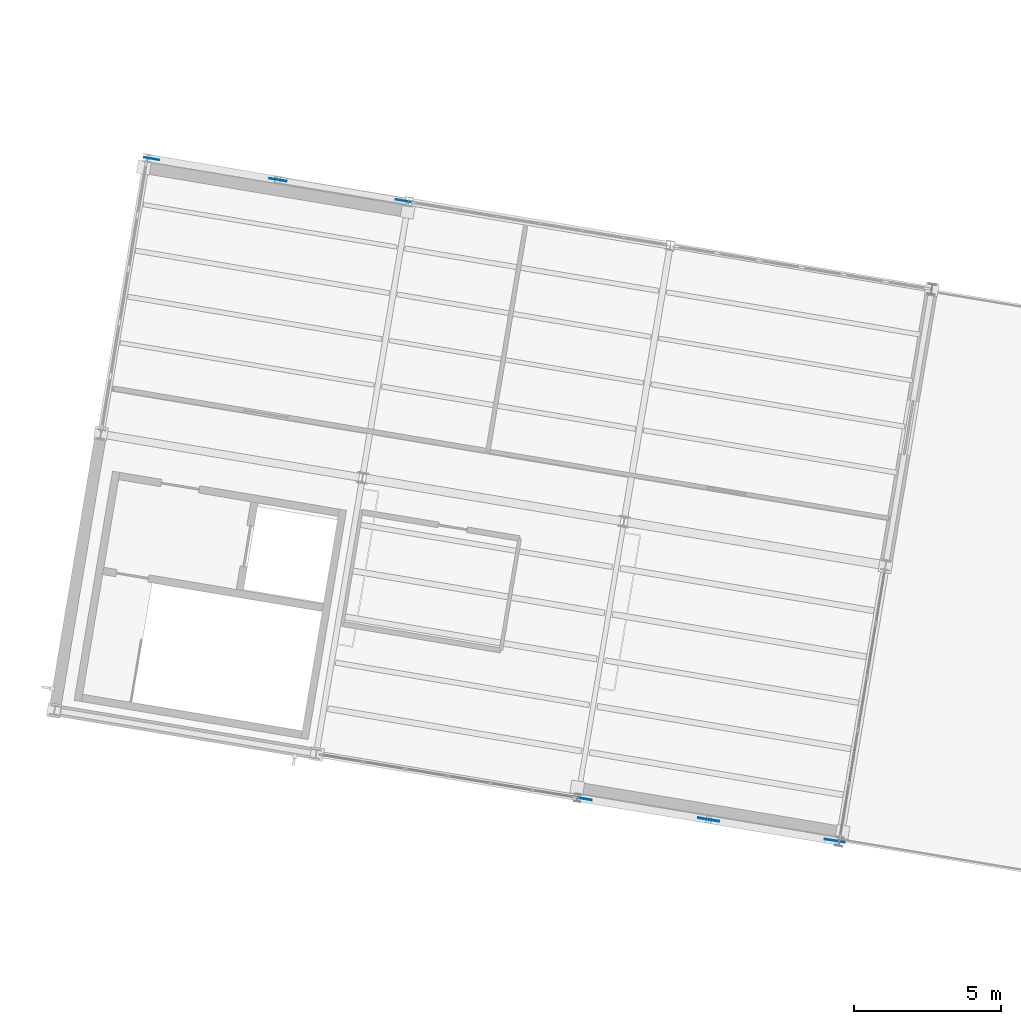
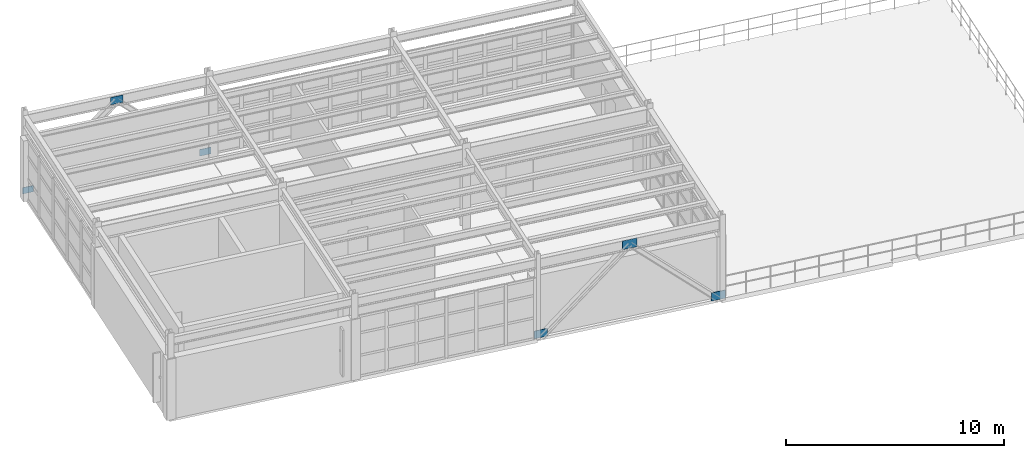
# One storey, part 44 of 59: 6 plates.
"""IFC4 building model written with IfcOpenShell, lengths in metres."""

from ifc_helpers import new_model, si_unit, direction, frame, origin, origin_2d, place, context, subcontext, project, spatial, rectangle, extrude, material, layer, layer_set, type_object, element, save


model = new_model("IFC4")

# Units and contexts
model_context = context("Model", 3, precision=1e-05, world=origin(), true_north=direction((0.0, 1.0)))
body_context = subcontext(model_context, "Body", "Model", "MODEL_VIEW")
ifc_project = project(units=[si_unit("LENGTHUNIT", "METRE"), si_unit("AREAUNIT", "SQUARE_METRE"), si_unit("VOLUMEUNIT", "CUBIC_METRE"), si_unit("PLANEANGLEUNIT", "RADIAN"), si_unit("MASSUNIT", "GRAM", prefix="KILO")], contexts=[model_context])

# Site, building, storey
site_placement = place(None, origin())
site = spatial("IfcSite", under=ifc_project, at=site_placement, CompositionType="ELEMENT")
building_placement = place(site_placement, origin())
building = spatial("IfcBuilding", under=site, at=building_placement, Name="Vireo Bluff Cable Station", CompositionType="ELEMENT")
storey_placement = place(building_placement, frame((0.0, 0.0, 14.39990234375)))
storey = spatial("IfcBuildingStorey", under=building, at=storey_placement, Name="L03", CompositionType="ELEMENT", Elevation=14.39990234375)

# Plates
ifc_material = material(Name="Steel ASTM A572 Gr. 50", Category="steel")
ifc_layer_1 = layer(ifc_material, 0.02099609375, Name="Steel ASTM A572 Gr. 50")
ifc_layer_set_1 = layer_set([ifc_layer_1], Name="Steel ASTM A572 Gr. 50")
plate_type_1 = type_object("IfcPlateType", Name="GUSSET-520X350X21", PredefinedType="USERDEFINED", material=ifc_layer_set_1)
plate_1_placement = place(storey_placement, frame((10.361572265625, 99.582763671875, 0.045166015625), z_axis=(0.0, 0.0, 1.0), x_axis=(0.986285601537, -0.165047605861, 0.0)))
element("IfcPlate", 1, at=plate_1_placement, inside=storey, type_object=plate_type_1, Name="V4 L03 brace base gusset plate 212", ObjectType="GUSSET PLATE", PredefinedType="USERDEFINED", context=body_context, shape_type="SweptSolid", body=[
    extrude(rectangle(XDim=0.52001953125, YDim=0.02099609375, at=origin_2d()), origin(), (0.0, 0.0, 1.0), 0.35009765625),
])
ifc_layer_2 = layer(ifc_material, 0.02294921875, Name="Steel ASTM A572 Gr. 50")
ifc_layer_set_2 = layer_set([ifc_layer_2], Name="Steel ASTM A572 Gr. 50")
plate_type_2 = type_object("IfcPlateType", Name="GUSSET-560X370X23", PredefinedType="USERDEFINED", material=ifc_layer_set_2)
plate_2_placement = place(storey_placement, frame((18.922607421875, 98.150146484375, 0.03515625), z_axis=(0.0, 0.0, 1.0), x_axis=(0.986285601537, -0.165047605861, 0.0)))
element("IfcPlate", 2, at=plate_2_placement, inside=storey, type_object=plate_type_2, Name="V4 L03 brace base gusset plate 213", ObjectType="GUSSET PLATE", PredefinedType="USERDEFINED", context=body_context, shape_type="SweptSolid", body=[
    extrude(rectangle(XDim=0.56005859375, YDim=0.02294921875, at=origin_2d()), origin(), (0.0, 0.0, 1.0), 0.3701171875),
])
ifc_layer_3 = layer(ifc_material, 0.02490234375, Name="Steel ASTM A572 Gr. 50")
ifc_layer_set_3 = layer_set([ifc_layer_3], Name="Steel ASTM A572 Gr. 50")
plate_type_3 = type_object("IfcPlateType", Name="GUSSET-600X410X25", PredefinedType="USERDEFINED", material=ifc_layer_set_3)
plate_3_placement = place(storey_placement, frame((14.64208984375, 98.866455078125, 3.97509765625), z_axis=(0.0, 0.0, 1.0), x_axis=(0.986285601537, -0.165047605861, 0.0)))
element("IfcPlate", 3, at=plate_3_placement, inside=storey, type_object=plate_type_3, Name="V4 L03 chevron gusset plate 214", ObjectType="GUSSET PLATE", PredefinedType="USERDEFINED", context=body_context, shape_type="SweptSolid", body=[
    extrude(rectangle(XDim=0.60009765625, YDim=0.02490234375, at=origin_2d()), origin(), (0.0, 0.0, 1.0), 0.409912109375),
])
ifc_layer_4 = layer(ifc_material, 0.027099609375, Name="Steel ASTM A572 Gr. 50")
ifc_layer_set_4 = layer_set([ifc_layer_4], Name="Steel ASTM A572 Gr. 50")
plate_type_4 = type_object("IfcPlateType", Name="GUSSET-640X430X27", PredefinedType="USERDEFINED", material=ifc_layer_set_4)
plate_4_placement = place(storey_placement, frame((24.97900390625, 77.87255859375, 0.00537109375), z_axis=(0.0, 0.0, 1.0), x_axis=(0.986285601537, -0.165047605861, 0.0)))
element("IfcPlate", 4, at=plate_4_placement, inside=storey, type_object=plate_type_4, Name="V4 L03 brace base gusset plate 215", ObjectType="GUSSET PLATE", PredefinedType="USERDEFINED", context=body_context, shape_type="SweptSolid", body=[
    extrude(rectangle(XDim=0.639892578125, YDim=0.027099609375, at=origin_2d()), origin(), (0.0, 0.0, 1.0), 0.429931640625),
])
ifc_layer_5 = layer(ifc_material, 0.029052734375, Name="Steel ASTM A572 Gr. 50")
ifc_layer_set_5 = layer_set([ifc_layer_5], Name="Steel ASTM A572 Gr. 50")
plate_type_5 = type_object("IfcPlateType", Name="GUSSET-680X460X29", PredefinedType="USERDEFINED", material=ifc_layer_set_5)
plate_5_placement = place(storey_placement, frame((33.539794921875, 76.43994140625, -0.009765625), z_axis=(0.0, 0.0, 1.0), x_axis=(0.986285601537, -0.165047605861, 0.0)))
element("IfcPlate", 5, at=plate_5_placement, inside=storey, type_object=plate_type_5, Name="V4 L03 brace base gusset plate 216", ObjectType="GUSSET PLATE", PredefinedType="USERDEFINED", context=body_context, shape_type="SweptSolid", body=[
    extrude(rectangle(XDim=0.679931640625, YDim=0.029052734375, at=origin_2d()), origin(), (0.0, 0.0, 1.0), 0.4599609375),
])
ifc_layer_6 = layer(ifc_material, 0.031005859375, Name="Steel ASTM A572 Gr. 50")
ifc_layer_set_6 = layer_set([ifc_layer_6], Name="Steel ASTM A572 Gr. 50")
plate_type_6 = type_object("IfcPlateType", Name="GUSSET-720X490X31", PredefinedType="USERDEFINED", material=ifc_layer_set_6)
plate_6_placement = place(storey_placement, frame((29.25927734375, 77.15625, 3.93505859375), z_axis=(0.0, 0.0, 1.0), x_axis=(0.986285601537, -0.165047605861, 0.0)))
element("IfcPlate", 6, at=plate_6_placement, inside=storey, type_object=plate_type_6, Name="V4 L03 chevron gusset plate 217", ObjectType="GUSSET PLATE", PredefinedType="USERDEFINED", context=body_context, shape_type="SweptSolid", body=[
    extrude(rectangle(XDim=0.719970703125, YDim=0.031005859375, at=origin_2d()), origin(), (0.0, 0.0, 1.0), 0.489990234375),
])

save(model, "model.ifc")
